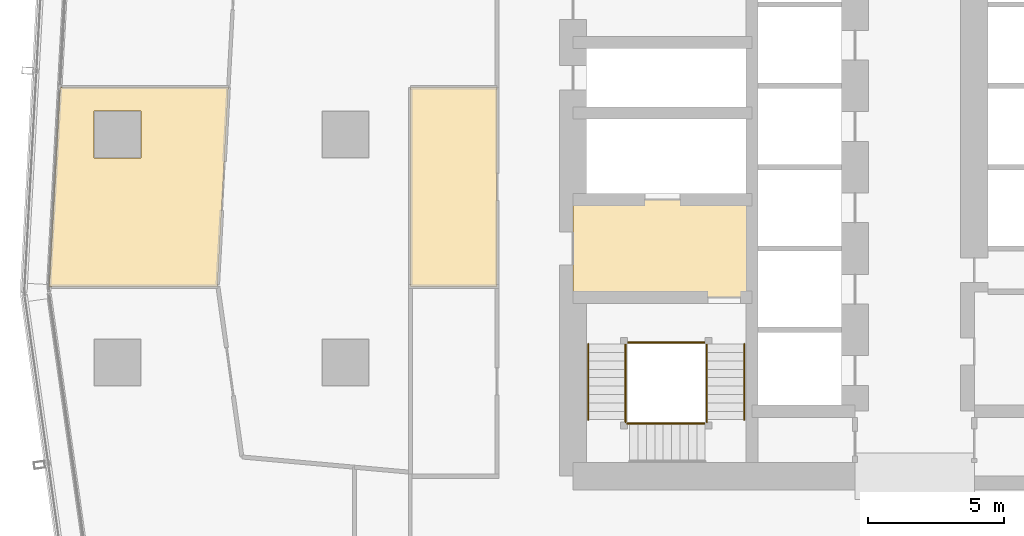
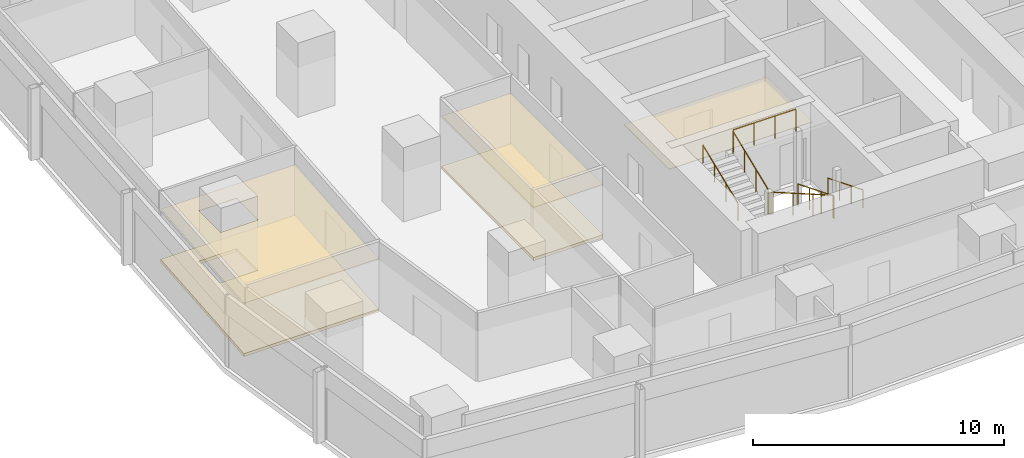
# One storey, part 34 of 40: 9 railings, 5 coverings.
"""IFC4 building model written with IfcOpenShell, lengths in metres."""

from ifc_helpers import new_model, si_unit, direction, frame, origin, origin_2d, place, context, subcontext, project, spatial, polyline, circle, outline, extrude, material, layer, layer_set, type_object, element, save


model = new_model("IFC4")

# Units and contexts
model_context = context("Model", 3, precision=1e-05, world=origin(), true_north=direction((0.0, 1.0)))
body_context = subcontext(model_context, "Body", "Model", "MODEL_VIEW")
ifc_project = project(units=[si_unit("LENGTHUNIT", "METRE"), si_unit("AREAUNIT", "SQUARE_METRE"), si_unit("VOLUMEUNIT", "CUBIC_METRE"), si_unit("PLANEANGLEUNIT", "RADIAN"), si_unit("MASSUNIT", "GRAM", prefix="KILO")], contexts=[model_context])

# Site, building, storey
site_placement = place(None, origin())
site = spatial("IfcSite", under=ifc_project, at=site_placement, CompositionType="ELEMENT")
building_placement = place(site_placement, origin())
building = spatial("IfcBuilding", under=site, at=building_placement, Name="Rekha Terrace Tower", CompositionType="ELEMENT")
storey_placement = place(building_placement, frame((0.0, 0.0, 99.050048828125)))
storey = spatial("IfcBuildingStorey", under=building, at=storey_placement, Name="L24", CompositionType="ELEMENT", Elevation=99.050048828125)

# Coverings
ifc_material_1 = material(Name="Mineral fibre tile in exposed grid", Category="finish")
ifc_layer_1 = layer(ifc_material_1, 0.02001953125)
ifc_layer_set_1 = layer_set([ifc_layer_1], Name="Mineral fibre tile in exposed grid")
covering_type_1 = type_object("IfcCoveringType", Name="CL1 600x1200 office grid ceiling", PredefinedType="CEILING", material=ifc_layer_set_1)
covering_1_placement = place(storey_placement, frame((0.0, 0.0, 2.579833984375)))
element("IfcCovering", 1, at=covering_1_placement, inside=storey, type_object=covering_type_1, Name="Ceiling L24-14", PredefinedType="CEILING", context=body_context, shape_type="SweptSolid", body=[
    extrude(outline(polyline([(5.8740234375, 28.0), (12.083984375, 28.0), (12.486083984375, 35.343017578125), (6.277099609375, 35.343017578125), (5.8740234375, 28.0)]), holes=[polyline([(9.264892578125, 32.735107421875), (7.534912109375, 32.735107421875), (7.534912109375, 34.465087890625), (9.264892578125, 34.465087890625), (9.264892578125, 32.735107421875)])]), origin(), (0.0, 0.0, 1.0), 0.02001953125),
])
covering_2_placement = place(storey_placement, frame((0.0, 0.0, 2.579833984375)))
element("IfcCovering", 2, at=covering_2_placement, inside=storey, type_object=covering_type_1, Name="Ceiling L24-19", PredefinedType="CEILING", context=body_context, shape_type="SweptSolid", body=[
    extrude(outline(polyline([(19.199951171875, 35.343017578125), (19.199951171875, 28.0), (22.39990234375, 28.0), (22.39990234375, 35.343017578125), (19.199951171875, 35.343017578125)])), origin(), (0.0, 0.0, 1.0), 0.02001953125),
])
ifc_material_2 = material(Name="Powder-coated aluminium pan", Category="aluminium")
ifc_layer_2 = layer(ifc_material_2, 0.030029296875)
ifc_layer_set_2 = layer_set([ifc_layer_2], Name="Powder-coated aluminium pan")
covering_type_2 = type_object("IfcCoveringType", Name="CL3 300x1200 metal pan ceiling", PredefinedType="CEILING", material=ifc_layer_set_2)
covering_3_placement = place(storey_placement, frame((0.0, 0.0, 2.570068359375)))
element("IfcCovering", 3, at=covering_3_placement, inside=storey, type_object=covering_type_2, Name="Ceiling L24-FLB1", PredefinedType="CEILING", context=body_context, shape_type="SweptSolid", body=[
    extrude(outline(polyline([(31.800048828125, 31.199951171875), (25.199951171875, 31.199951171875), (25.199951171875, 27.60009765625), (31.800048828125, 27.60009765625), (31.800048828125, 31.199951171875)])), origin(), (0.0, 0.0, 1.0), 0.02978515625),
])

# Railings
ifc_material_3 = material(Name="Stainless steel balustrade", Category="steel")
railing_type_1 = type_object("IfcRailingType", Name="GR1 1100 stair guard", PredefinedType="GUARDRAIL", material=ifc_material_3)
railing_1_placement = place(storey_placement, frame((30.135009765625, 25.875, 0.125)))
element("IfcRailing", 4, at=railing_1_placement, inside=storey, type_object=railing_type_1, Name="Guard ST1 L24 flight 1", PredefinedType="GUARDRAIL", context=body_context, shape_type="SweptSolid", body=[
    extrude(circle(Radius=0.02392578125, at=origin_2d()), frame((0.0, 0.0, 1.076171875), z_axis=(0.0, -0.927443287984, 0.373963831907), x_axis=(1.0, 0.0, 0.0)), (0.0, 0.0, 1.0), 3.00830078125),
    extrude(circle(Radius=0.02099609375, at=origin_2d()), origin(), (0.0, 0.0, 1.0), 1.052001953125),
    extrude(circle(Radius=0.02099609375, at=origin_2d()), frame((0.0, -0.929931640625, 0.375)), (0.0, 0.0, 1.0), 1.052001953125),
    extrude(circle(Radius=0.02099609375, at=origin_2d()), frame((0.0, -1.860107421875, 0.75)), (0.0, 0.0, 1.0), 1.052001953125),
    extrude(circle(Radius=0.02099609375, at=origin_2d()), frame((0.0, -2.7900390625, 1.125)), (0.0, 0.0, 1.0), 1.052001953125),
])
railing_2_placement = place(storey_placement, frame((30.074951171875, 22.93994140625, 1.375)))
element("IfcRailing", 5, at=railing_2_placement, inside=storey, type_object=railing_type_1, Name="Guard ST1 L24 flight 2", PredefinedType="GUARDRAIL", context=body_context, shape_type="SweptSolid", body=[
    extrude(circle(Radius=0.02392578125, at=origin_2d()), frame((0.0, 0.0, 1.076171875), z_axis=(-0.927443287984, 0.0, 0.373963831907), x_axis=(0.0, -1.0, 0.0)), (0.0, 0.0, 1.0), 3.00830078125),
    extrude(circle(Radius=0.02099609375, at=origin_2d()), origin(), (0.0, 0.0, 1.0), 1.052001953125),
    extrude(circle(Radius=0.02099609375, at=origin_2d()), frame((-0.929931640625, 0.0, 0.375)), (0.0, 0.0, 1.0), 1.052001953125),
    extrude(circle(Radius=0.02099609375, at=origin_2d()), frame((-1.860107421875, 0.0, 0.75)), (0.0, 0.0, 1.0), 1.052001953125),
    extrude(circle(Radius=0.02099609375, at=origin_2d()), frame((-2.7900390625, 0.0, 1.125)), (0.0, 0.0, 1.0), 1.052001953125),
])
railing_3_placement = place(storey_placement, frame((27.139892578125, 23.0849609375, 2.625)))
element("IfcRailing", 6, at=railing_3_placement, inside=storey, type_object=railing_type_1, Name="Guard ST1 L24 flight 3", PredefinedType="GUARDRAIL", context=body_context, shape_type="SweptSolid", body=[
    extrude(circle(Radius=0.02392578125, at=origin_2d()), frame((0.0, 0.0, 1.076171875), z_axis=(0.0, 0.927443287984, 0.373963831907), x_axis=(-1.0, 0.0, 0.0)), (0.0, 0.0, 1.0), 3.00830078125),
    extrude(circle(Radius=0.02099609375, at=origin_2d()), origin(), (0.0, 0.0, 1.0), 1.052001953125),
    extrude(circle(Radius=0.02099609375, at=origin_2d()), frame((0.0, 0.929931640625, 0.375)), (0.0, 0.0, 1.0), 1.052001953125),
    extrude(circle(Radius=0.02099609375, at=origin_2d()), frame((0.0, 1.860107421875, 0.75)), (0.0, 0.0, 1.0), 1.052001953125),
    extrude(circle(Radius=0.02099609375, at=origin_2d()), frame((0.0, 2.7900390625, 1.125)), (0.0, 0.0, 1.0), 1.052001953125),
])
railing_4_placement = place(storey_placement, frame((30.135009765625, 23.0849609375, 1.25)))
element("IfcRailing", 7, at=railing_4_placement, inside=storey, type_object=railing_type_1, Name="Guard ST1 L24 landing 1", PredefinedType="GUARDRAIL", context=body_context, shape_type="SweptSolid", body=[
    extrude(circle(Radius=0.02392578125, at=origin_2d()), frame((0.0, 0.0, 1.076171875), z_axis=(0.0, -1.0, 0.0), x_axis=(1.0, 0.0, 0.0)), (0.0, 0.0, 1.0), 0.0849609375),
    extrude(circle(Radius=0.02099609375, at=origin_2d()), origin(), (0.0, 0.0, 1.0), 1.052001953125),
    extrude(circle(Radius=0.02099609375, at=origin_2d()), frame((0.0, -0.0849609375, 0.0)), (0.0, 0.0, 1.0), 1.052001953125),
])
railing_5_placement = place(storey_placement, frame((27.284912109375, 22.93994140625, 2.5)))
element("IfcRailing", 8, at=railing_5_placement, inside=storey, type_object=railing_type_1, Name="Guard ST1 L24 landing 2", PredefinedType="GUARDRAIL", context=body_context, shape_type="SweptSolid", body=[
    extrude(circle(Radius=0.02392578125, at=origin_2d()), frame((0.0, 0.0, 1.076171875), z_axis=(-1.0, 0.0, 0.0), x_axis=(0.0, -1.0, 0.0)), (0.0, 0.0, 1.0), 0.0849609375),
    extrude(circle(Radius=0.02099609375, at=origin_2d()), origin(), (0.0, 0.0, 1.0), 1.052001953125),
    extrude(circle(Radius=0.02099609375, at=origin_2d()), frame((-0.0849609375, 0.0, 0.0)), (0.0, 0.0, 1.0), 1.052001953125),
])
railing_6_placement = place(storey_placement, frame((27.139892578125, 23.0849609375, 2.5)))
element("IfcRailing", 9, at=railing_6_placement, inside=storey, type_object=railing_type_1, Name="Guard ST1 L24 landing 3", PredefinedType="GUARDRAIL", context=body_context, shape_type="SweptSolid", body=[
    extrude(circle(Radius=0.02392578125, at=origin_2d()), frame((0.0, 0.0, 1.076171875), z_axis=(0.0, -1.0, 0.0), x_axis=(1.0, 0.0, 0.0)), (0.0, 0.0, 1.0), 0.0849609375),
    extrude(circle(Radius=0.02099609375, at=origin_2d()), origin(), (0.0, 0.0, 1.0), 1.052001953125),
    extrude(circle(Radius=0.02099609375, at=origin_2d()), frame((0.0, -0.0849609375, 0.0)), (0.0, 0.0, 1.0), 1.052001953125),
])
railing_7_placement = place(storey_placement, frame((30.074951171875, 25.93505859375, 3.75)))
element("IfcRailing", 10, at=railing_7_placement, inside=storey, type_object=railing_type_1, Name="Guard ST1 L24 landing 4", PredefinedType="GUARDRAIL", context=body_context, shape_type="SweptSolid", body=[
    extrude(circle(Radius=0.02392578125, at=origin_2d()), frame((0.0, 0.0, 1.076171875), z_axis=(-1.0, 0.0, 0.0), x_axis=(0.0, -1.0, 0.0)), (0.0, 0.0, 1.0), 2.875),
    extrude(circle(Radius=0.02099609375, at=origin_2d()), origin(), (0.0, 0.0, 1.0), 1.052001953125),
    extrude(circle(Radius=0.02099609375, at=origin_2d()), frame((-0.958251953125, 0.0, 0.0)), (0.0, 0.0, 1.0), 1.052001953125),
    extrude(circle(Radius=0.02099609375, at=origin_2d()), frame((-1.916748046875, 0.0, 0.0)), (0.0, 0.0, 1.0), 1.052001953125),
    extrude(circle(Radius=0.02099609375, at=origin_2d()), frame((-2.875, 0.0, 0.0)), (0.0, 0.0, 1.0), 1.052001953125),
])
ifc_material_4 = material(Name="Stainless steel tube", Category="steel")
railing_type_2 = type_object("IfcRailingType", Name="HR1 900 stair handrail", PredefinedType="HANDRAIL", material=ifc_material_4)
railing_8_placement = place(storey_placement, frame((31.514892578125, 25.875, 0.125)))
element("IfcRailing", 11, at=railing_8_placement, inside=storey, type_object=railing_type_2, Name="Handrail ST1 L24 flight 1", PredefinedType="HANDRAIL", context=body_context, shape_type="SweptSolid", body=[
    extrude(circle(Radius=0.02392578125, at=origin_2d()), frame((0.0, 0.0, 0.8759765625), z_axis=(0.0, -0.927443287984, 0.373963831907), x_axis=(1.0, 0.0, 0.0)), (0.0, 0.0, 1.0), 3.00830078125),
    extrude(circle(Radius=0.02099609375, at=origin_2d()), origin(), (0.0, 0.0, 1.0), 0.851806640625),
    extrude(circle(Radius=0.02099609375, at=origin_2d()), frame((0.0, -0.929931640625, 0.375)), (0.0, 0.0, 1.0), 0.851806640625),
    extrude(circle(Radius=0.02099609375, at=origin_2d()), frame((0.0, -1.860107421875, 0.75)), (0.0, 0.0, 1.0), 0.851806640625),
    extrude(circle(Radius=0.02099609375, at=origin_2d()), frame((0.0, -2.7900390625, 1.125)), (0.0, 0.0, 1.0), 0.851806640625),
])
railing_9_placement = place(storey_placement, frame((25.760009765625, 23.0849609375, 2.625)))
element("IfcRailing", 12, at=railing_9_placement, inside=storey, type_object=railing_type_2, Name="Handrail ST1 L24 flight 3", PredefinedType="HANDRAIL", context=body_context, shape_type="SweptSolid", body=[
    extrude(circle(Radius=0.02392578125, at=origin_2d()), frame((0.0, 0.0, 0.8759765625), z_axis=(0.0, 0.927443287984, 0.373963831907), x_axis=(-1.0, 0.0, 0.0)), (0.0, 0.0, 1.0), 3.00830078125),
    extrude(circle(Radius=0.02099609375, at=origin_2d()), origin(), (0.0, 0.0, 1.0), 0.851806640625),
    extrude(circle(Radius=0.02099609375, at=origin_2d()), frame((0.0, 0.929931640625, 0.375)), (0.0, 0.0, 1.0), 0.851806640625),
    extrude(circle(Radius=0.02099609375, at=origin_2d()), frame((0.0, 1.860107421875, 0.75)), (0.0, 0.0, 1.0), 0.851806640625),
    extrude(circle(Radius=0.02099609375, at=origin_2d()), frame((0.0, 2.7900390625, 1.125)), (0.0, 0.0, 1.0), 0.851806640625),
])

# Coverings
ifc_material_5 = material(Name="Calcium sulphate panels on steel pedestals", Category="steel")
ifc_layer_3 = layer(ifc_material_5, 0.14990234375)
ifc_layer_set_3 = layer_set([ifc_layer_3], Name="Calcium sulphate panels on steel pedestals")
covering_type_3 = type_object("IfcCoveringType", Name="RF1 150 raised access floor", PredefinedType="FLOORING", material=ifc_layer_set_3)
covering_4_placement = place(storey_placement, origin())
element("IfcCovering", 13, at=covering_4_placement, inside=storey, type_object=covering_type_3, Name="Raised floor L24-14", PredefinedType="FLOORING", context=body_context, shape_type="SweptSolid", body=[
    extrude(outline(polyline([(5.8740234375, 28.0), (12.083984375, 28.0), (12.486083984375, 35.343017578125), (6.277099609375, 35.343017578125), (5.8740234375, 28.0)]), holes=[polyline([(9.264892578125, 32.735107421875), (7.534912109375, 32.735107421875), (7.534912109375, 34.465087890625), (9.264892578125, 34.465087890625), (9.264892578125, 32.735107421875)])]), origin(), (0.0, 0.0, 1.0), 0.14990234375),
])
covering_5_placement = place(storey_placement, origin())
element("IfcCovering", 14, at=covering_5_placement, inside=storey, type_object=covering_type_3, Name="Raised floor L24-19", PredefinedType="FLOORING", context=body_context, shape_type="SweptSolid", body=[
    extrude(outline(polyline([(19.199951171875, 35.343017578125), (19.199951171875, 28.0), (22.39990234375, 28.0), (22.39990234375, 35.343017578125), (19.199951171875, 35.343017578125)])), origin(), (0.0, 0.0, 1.0), 0.14990234375),
])

save(model, "model.ifc")
